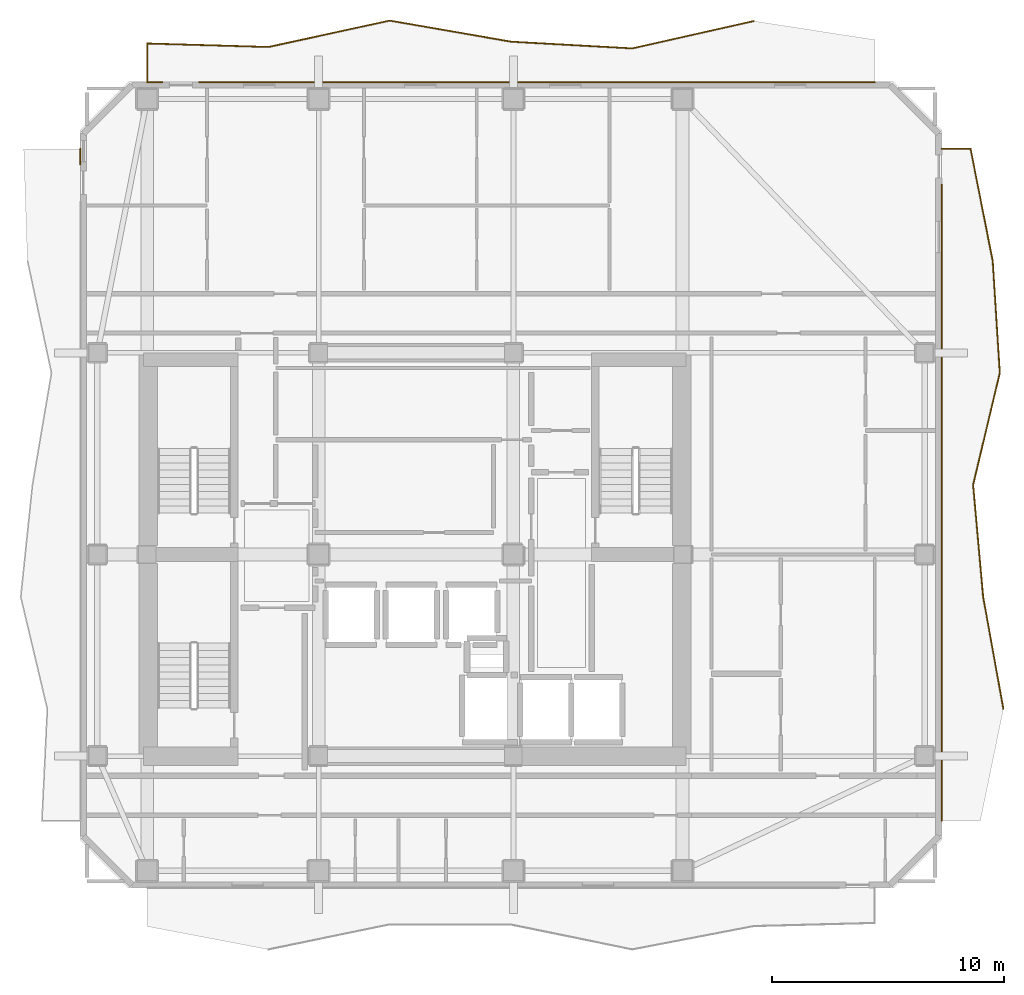
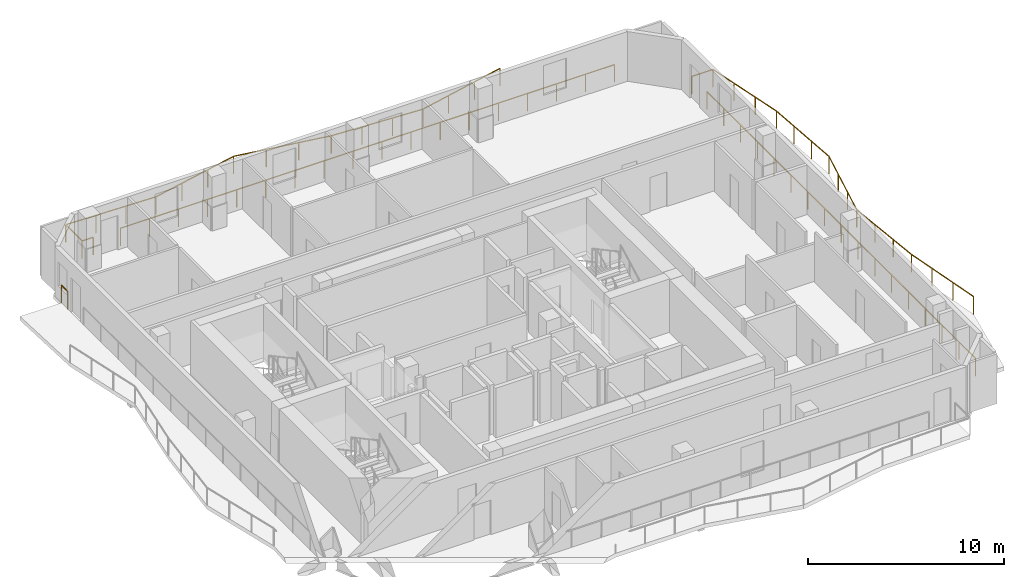
# One storey, part 9 of 9: 5 railings.
"""IFC4 building model written with IfcOpenShell, lengths in metres."""

from ifc_helpers import new_model, si_unit, direction, frame, origin, origin_2d, place, context, subcontext, project, spatial, rectangle, extrude, material, type_object, element, save


model = new_model("IFC4")

# Units and contexts
model_context = context("Model", 3, precision=1e-05, world=origin(), true_north=direction((0.0, 1.0)))
body_context = subcontext(model_context, "Body", "Model", "MODEL_VIEW")
ifc_project = project(units=[si_unit("LENGTHUNIT", "METRE"), si_unit("AREAUNIT", "SQUARE_METRE"), si_unit("VOLUMEUNIT", "CUBIC_METRE"), si_unit("PLANEANGLEUNIT", "RADIAN"), si_unit("MASSUNIT", "GRAM", prefix="KILO")], contexts=[model_context])

# Site, building, storey
site_placement = place(None, origin())
site = spatial("IfcSite", under=ifc_project, at=site_placement, CompositionType="ELEMENT")
building_placement = place(site_placement, origin())
building = spatial("IfcBuilding", under=site, at=building_placement, Name="Solanera Arch Residences", CompositionType="ELEMENT")
storey_placement = place(building_placement, frame((0.0, 0.0, 234.60009765625)))
storey = spatial("IfcBuildingStorey", under=building, at=storey_placement, Name="L68", CompositionType="ELEMENT", Elevation=234.60009765625)

# Railings
ifc_material = material(Name="Steel S355 (ASTM A992 / A572 Grade 50)", Category="steel")
railing_type = type_object("IfcRailingType", Name="Balustrade Railing BL-1100", PredefinedType="BALUSTRADE", material=ifc_material)
railing_1_placement = place(storey_placement, frame((39.56689453125, 53.718017578125, 0.0)))
element("IfcRailing", 1, at=railing_1_placement, inside=storey, type_object=railing_type, Name="L68 N Balcony Balustrade 1", PredefinedType="BALUSTRADE", context=body_context, shape_type="SweptSolid", body=[
    extrude(rectangle(XDim=0.048095703125, YDim=0.048095703125, at=origin_2d()), frame((0.0, 0.0, 1.09619140625), z_axis=(-0.975517579192, -0.219921469364, 0.0), x_axis=(0.219921469364, -0.975517579192, 0.0)), (0.0, 0.0, 1.0), 5.365234375),
    extrude(rectangle(XDim=0.048095703125, YDim=0.048095703125, at=origin_2d()), frame((-5.23388671875, -1.179931640625, 1.09619140625), z_axis=(-0.99845719829, 0.055526778966, 0.0), x_axis=(-0.055526778966, -0.99845719829, 0.0)), (0.0, 0.0, 1.0), 5.240966796875),
    extrude(rectangle(XDim=0.048095703125, YDim=0.048095703125, at=origin_2d()), frame((-10.466796875, -0.888916015625, 1.09619140625), z_axis=(-0.985249177604, 0.171125854361, 0.0), x_axis=(-0.171125854361, -0.985249177604, 0.0)), (0.0, 0.0, 1.0), 5.3115234375),
    extrude(rectangle(XDim=0.048095703125, YDim=0.048095703125, at=origin_2d()), frame((-15.699951171875, 0.02001953125, 1.09619140625), z_axis=(-0.977171015632, -0.212454244979, 0.0), x_axis=(0.212454244979, -0.977171015632, 0.0)), (0.0, 0.0, 1.0), 5.356201171875),
    extrude(rectangle(XDim=0.048095703125, YDim=0.048095703125, at=origin_2d()), frame((-20.933837890625, -1.117919921875, 1.09619140625), z_axis=(-0.999584635546, 0.028819375077, 0.0), x_axis=(-0.028819375077, -0.999584635546, 0.0)), (0.0, 0.0, 1.0), 5.2353515625),
    extrude(rectangle(XDim=0.048095703125, YDim=0.048095703125, at=origin_2d()), frame((-26.1669921875, -0.967041015625, 1.09619140625), z_axis=(0.0, -1.0, 0.0), x_axis=(1.0, 0.0, 0.0)), (0.0, 0.0, 1.0), 1.6708984375),
    extrude(rectangle(XDim=0.048095703125, YDim=0.048095703125, at=origin_2d()), frame((-26.1669921875, -2.637939453125, 1.09619140625), z_axis=(1.0, 0.0, 0.0), x_axis=(0.0, 1.0, 0.0)), (0.0, 0.0, 1.0), 0.655029296875),
    extrude(rectangle(XDim=0.0419921875, YDim=0.0419921875, at=origin_2d()), origin(), (0.0, 0.0, 1.0), 1.072021484375),
    extrude(rectangle(XDim=0.0419921875, YDim=0.0419921875, at=origin_2d()), frame((-1.74462890625, -0.393310546875, 0.0)), (0.0, 0.0, 1.0), 1.072021484375),
    extrude(rectangle(XDim=0.0419921875, YDim=0.0419921875, at=origin_2d()), frame((-3.4892578125, -0.78662109375, 0.0)), (0.0, 0.0, 1.0), 1.072021484375),
    extrude(rectangle(XDim=0.0419921875, YDim=0.0419921875, at=origin_2d()), frame((-5.23388671875, -1.179931640625, 0.0)), (0.0, 0.0, 1.0), 1.072021484375),
    extrude(rectangle(XDim=0.0419921875, YDim=0.0419921875, at=origin_2d()), frame((-6.978271484375, -1.0830078125, 0.0)), (0.0, 0.0, 1.0), 1.072021484375),
    extrude(rectangle(XDim=0.0419921875, YDim=0.0419921875, at=origin_2d()), frame((-8.722412109375, -0.98583984375, 0.0)), (0.0, 0.0, 1.0), 1.072021484375),
    extrude(rectangle(XDim=0.0419921875, YDim=0.0419921875, at=origin_2d()), frame((-10.466796875, -0.888916015625, 0.0)), (0.0, 0.0, 1.0), 1.072021484375),
    extrude(rectangle(XDim=0.0419921875, YDim=0.0419921875, at=origin_2d()), frame((-12.211181640625, -0.5859375, 0.0)), (0.0, 0.0, 1.0), 1.072021484375),
    extrude(rectangle(XDim=0.0419921875, YDim=0.0419921875, at=origin_2d()), frame((-13.95556640625, -0.282958984375, 0.0)), (0.0, 0.0, 1.0), 1.072021484375),
    extrude(rectangle(XDim=0.0419921875, YDim=0.0419921875, at=origin_2d()), frame((-15.699951171875, 0.02001953125, 0.0)), (0.0, 0.0, 1.0), 1.072021484375),
    extrude(rectangle(XDim=0.0419921875, YDim=0.0419921875, at=origin_2d()), frame((-17.444580078125, -0.359375, 0.0)), (0.0, 0.0, 1.0), 1.072021484375),
    extrude(rectangle(XDim=0.0419921875, YDim=0.0419921875, at=origin_2d()), frame((-19.189208984375, -0.738525390625, 0.0)), (0.0, 0.0, 1.0), 1.072021484375),
    extrude(rectangle(XDim=0.0419921875, YDim=0.0419921875, at=origin_2d()), frame((-20.933837890625, -1.117919921875, 0.0)), (0.0, 0.0, 1.0), 1.072021484375),
    extrude(rectangle(XDim=0.0419921875, YDim=0.0419921875, at=origin_2d()), frame((-22.67822265625, -1.067626953125, 0.0)), (0.0, 0.0, 1.0), 1.072021484375),
    extrude(rectangle(XDim=0.0419921875, YDim=0.0419921875, at=origin_2d()), frame((-24.422607421875, -1.017333984375, 0.0)), (0.0, 0.0, 1.0), 1.072021484375),
    extrude(rectangle(XDim=0.0419921875, YDim=0.0419921875, at=origin_2d()), frame((-26.1669921875, -0.967041015625, 0.0)), (0.0, 0.0, 1.0), 1.072021484375),
    extrude(rectangle(XDim=0.0419921875, YDim=0.0419921875, at=origin_2d()), frame((-26.1669921875, -2.637939453125, 0.0)), (0.0, 0.0, 1.0), 1.072021484375),
    extrude(rectangle(XDim=0.0419921875, YDim=0.0419921875, at=origin_2d()), frame((-25.511962890625, -2.637939453125, 0.0)), (0.0, 0.0, 1.0), 1.072021484375),
])
railing_2_placement = place(storey_placement, frame((15.655029296875, 51.080078125, 0.0)))
element("IfcRailing", 2, at=railing_2_placement, inside=storey, type_object=railing_type, Name="L68 N Balcony Balustrade 2", PredefinedType="BALUSTRADE", context=body_context, shape_type="SweptSolid", body=[
    extrude(rectangle(XDim=0.048095703125, YDim=0.048095703125, at=origin_2d()), frame((0.0, 0.0, 1.09619140625), z_axis=(1.0, 0.0, 0.0), x_axis=(0.0, 1.0, 0.0)), (0.0, 0.0, 1.0), 29.14501953125),
    extrude(rectangle(XDim=0.0419921875, YDim=0.0419921875, at=origin_2d()), origin(), (0.0, 0.0, 1.0), 1.072021484375),
    extrude(rectangle(XDim=0.0419921875, YDim=0.0419921875, at=origin_2d()), frame((1.71435546875, 0.0, 0.0)), (0.0, 0.0, 1.0), 1.072021484375),
    extrude(rectangle(XDim=0.0419921875, YDim=0.0419921875, at=origin_2d()), frame((3.4287109375, 0.0, 0.0)), (0.0, 0.0, 1.0), 1.072021484375),
    extrude(rectangle(XDim=0.0419921875, YDim=0.0419921875, at=origin_2d()), frame((5.143310546875, 0.0, 0.0)), (0.0, 0.0, 1.0), 1.072021484375),
    extrude(rectangle(XDim=0.0419921875, YDim=0.0419921875, at=origin_2d()), frame((6.857666015625, 0.0, 0.0)), (0.0, 0.0, 1.0), 1.072021484375),
    extrude(rectangle(XDim=0.0419921875, YDim=0.0419921875, at=origin_2d()), frame((8.572021484375, 0.0, 0.0)), (0.0, 0.0, 1.0), 1.072021484375),
    extrude(rectangle(XDim=0.0419921875, YDim=0.0419921875, at=origin_2d()), frame((10.286376953125, 0.0, 0.0)), (0.0, 0.0, 1.0), 1.072021484375),
    extrude(rectangle(XDim=0.0419921875, YDim=0.0419921875, at=origin_2d()), frame((12.0009765625, 0.0, 0.0)), (0.0, 0.0, 1.0), 1.072021484375),
    extrude(rectangle(XDim=0.0419921875, YDim=0.0419921875, at=origin_2d()), frame((13.71533203125, 0.0, 0.0)), (0.0, 0.0, 1.0), 1.072021484375),
    extrude(rectangle(XDim=0.0419921875, YDim=0.0419921875, at=origin_2d()), frame((15.4296875, 0.0, 0.0)), (0.0, 0.0, 1.0), 1.072021484375),
    extrude(rectangle(XDim=0.0419921875, YDim=0.0419921875, at=origin_2d()), frame((17.14404296875, 0.0, 0.0)), (0.0, 0.0, 1.0), 1.072021484375),
    extrude(rectangle(XDim=0.0419921875, YDim=0.0419921875, at=origin_2d()), frame((18.858642578125, 0.0, 0.0)), (0.0, 0.0, 1.0), 1.072021484375),
    extrude(rectangle(XDim=0.0419921875, YDim=0.0419921875, at=origin_2d()), frame((20.572998046875, 0.0, 0.0)), (0.0, 0.0, 1.0), 1.072021484375),
    extrude(rectangle(XDim=0.0419921875, YDim=0.0419921875, at=origin_2d()), frame((22.287353515625, 0.0, 0.0)), (0.0, 0.0, 1.0), 1.072021484375),
    extrude(rectangle(XDim=0.0419921875, YDim=0.0419921875, at=origin_2d()), frame((24.001708984375, 0.0, 0.0)), (0.0, 0.0, 1.0), 1.072021484375),
    extrude(rectangle(XDim=0.0419921875, YDim=0.0419921875, at=origin_2d()), frame((25.71630859375, 0.0, 0.0)), (0.0, 0.0, 1.0), 1.072021484375),
    extrude(rectangle(XDim=0.0419921875, YDim=0.0419921875, at=origin_2d()), frame((27.4306640625, 0.0, 0.0)), (0.0, 0.0, 1.0), 1.072021484375),
    extrude(rectangle(XDim=0.0419921875, YDim=0.0419921875, at=origin_2d()), frame((29.14501953125, 0.0, 0.0)), (0.0, 0.0, 1.0), 1.072021484375),
])
railing_3_placement = place(storey_placement, frame((50.346923828125, 24.032958984375, 0.0)))
element("IfcRailing", 3, at=railing_3_placement, inside=storey, type_object=railing_type, Name="L68 E Balcony Balustrade 1", PredefinedType="BALUSTRADE", context=body_context, shape_type="SweptSolid", body=[
    extrude(rectangle(XDim=0.048095703125, YDim=0.048095703125, at=origin_2d()), frame((0.0, 0.0, 1.09619140625), z_axis=(-0.177682530476, 0.9840878611, 0.0), x_axis=(-0.9840878611, -0.177682530476, 0.0)), (0.0, 0.0, 1.0), 4.912109375),
    extrude(rectangle(XDim=0.048095703125, YDim=0.048095703125, at=origin_2d()), frame((-0.872802734375, 4.833984375, 1.09619140625), z_axis=(-0.089456031175, 0.99599077229, 0.0), x_axis=(-0.99599077229, -0.089456031175, 0.0)), (0.0, 0.0, 1.0), 4.8525390625),
    extrude(rectangle(XDim=0.048095703125, YDim=0.048095703125, at=origin_2d()), frame((-1.306884765625, 9.6669921875, 1.09619140625), z_axis=(0.231837534301, 0.972754520776, 0.0), x_axis=(-0.972754520776, 0.231837534301, 0.0)), (0.0, 0.0, 1.0), 4.96826171875),
    extrude(rectangle(XDim=0.048095703125, YDim=0.048095703125, at=origin_2d()), frame((-0.155029296875, 14.5, 1.09619140625), z_axis=(-0.063156492721, 0.998003635979, 0.0), x_axis=(-0.998003635979, -0.063156492721, 0.0)), (0.0, 0.0, 1.0), 4.84375),
    extrude(rectangle(XDim=0.048095703125, YDim=0.048095703125, at=origin_2d()), frame((-0.4609375, 19.333984375, 1.09619140625), z_axis=(-0.19405726578, 0.9809902026, 0.0), x_axis=(-0.9809902026, -0.19405726578, 0.0)), (0.0, 0.0, 1.0), 4.9267578125),
    extrude(rectangle(XDim=0.048095703125, YDim=0.048095703125, at=origin_2d()), frame((-1.4169921875, 24.1669921875, 1.09619140625), z_axis=(-1.0, 0.0, 0.0), x_axis=(0.0, -1.0, 0.0)), (0.0, 0.0, 1.0), 1.25),
    extrude(rectangle(XDim=0.0419921875, YDim=0.0419921875, at=origin_2d()), origin(), (0.0, 0.0, 1.0), 1.072021484375),
    extrude(rectangle(XDim=0.0419921875, YDim=0.0419921875, at=origin_2d()), frame((-0.291015625, 1.611328125, 0.0)), (0.0, 0.0, 1.0), 1.072021484375),
    extrude(rectangle(XDim=0.0419921875, YDim=0.0419921875, at=origin_2d()), frame((-0.581787109375, 3.22265625, 0.0)), (0.0, 0.0, 1.0), 1.072021484375),
    extrude(rectangle(XDim=0.0419921875, YDim=0.0419921875, at=origin_2d()), frame((-0.872802734375, 4.833984375, 0.0)), (0.0, 0.0, 1.0), 1.072021484375),
    extrude(rectangle(XDim=0.0419921875, YDim=0.0419921875, at=origin_2d()), frame((-1.017578125, 6.445068359375, 0.0)), (0.0, 0.0, 1.0), 1.072021484375),
    extrude(rectangle(XDim=0.0419921875, YDim=0.0419921875, at=origin_2d()), frame((-1.162109375, 8.055908203125, 0.0)), (0.0, 0.0, 1.0), 1.072021484375),
    extrude(rectangle(XDim=0.0419921875, YDim=0.0419921875, at=origin_2d()), frame((-1.306884765625, 9.6669921875, 0.0)), (0.0, 0.0, 1.0), 1.072021484375),
    extrude(rectangle(XDim=0.0419921875, YDim=0.0419921875, at=origin_2d()), frame((-0.9228515625, 11.278076171875, 0.0)), (0.0, 0.0, 1.0), 1.072021484375),
    extrude(rectangle(XDim=0.0419921875, YDim=0.0419921875, at=origin_2d()), frame((-0.5390625, 12.888916015625, 0.0)), (0.0, 0.0, 1.0), 1.072021484375),
    extrude(rectangle(XDim=0.0419921875, YDim=0.0419921875, at=origin_2d()), frame((-0.155029296875, 14.5, 0.0)), (0.0, 0.0, 1.0), 1.072021484375),
    extrude(rectangle(XDim=0.0419921875, YDim=0.0419921875, at=origin_2d()), frame((-0.257080078125, 16.111328125, 0.0)), (0.0, 0.0, 1.0), 1.072021484375),
    extrude(rectangle(XDim=0.0419921875, YDim=0.0419921875, at=origin_2d()), frame((-0.35888671875, 17.72265625, 0.0)), (0.0, 0.0, 1.0), 1.072021484375),
    extrude(rectangle(XDim=0.0419921875, YDim=0.0419921875, at=origin_2d()), frame((-0.4609375, 19.333984375, 0.0)), (0.0, 0.0, 1.0), 1.072021484375),
    extrude(rectangle(XDim=0.0419921875, YDim=0.0419921875, at=origin_2d()), frame((-0.779541015625, 20.945068359375, 0.0)), (0.0, 0.0, 1.0), 1.072021484375),
    extrude(rectangle(XDim=0.0419921875, YDim=0.0419921875, at=origin_2d()), frame((-1.098388671875, 22.555908203125, 0.0)), (0.0, 0.0, 1.0), 1.072021484375),
    extrude(rectangle(XDim=0.0419921875, YDim=0.0419921875, at=origin_2d()), frame((-1.4169921875, 24.1669921875, 0.0)), (0.0, 0.0, 1.0), 1.072021484375),
    extrude(rectangle(XDim=0.0419921875, YDim=0.0419921875, at=origin_2d()), frame((-2.6669921875, 24.1669921875, 0.0)), (0.0, 0.0, 1.0), 1.072021484375),
])
railing_4_placement = place(storey_placement, frame((47.679931640625, 46.64501953125, 0.0)))
element("IfcRailing", 4, at=railing_4_placement, inside=storey, type_object=railing_type, Name="L68 E Balcony Balustrade 2", PredefinedType="BALUSTRADE", context=body_context, shape_type="SweptSolid", body=[
    extrude(rectangle(XDim=0.048095703125, YDim=0.048095703125, at=origin_2d()), frame((0.0, 0.0, 1.09619140625), z_axis=(0.0, -1.0, 0.0), x_axis=(1.0, 0.0, 0.0)), (0.0, 0.0, 1.0), 27.445068359375),
    extrude(rectangle(XDim=0.0419921875, YDim=0.0419921875, at=origin_2d()), origin(), (0.0, 0.0, 1.0), 1.072021484375),
    extrude(rectangle(XDim=0.0419921875, YDim=0.0419921875, at=origin_2d()), frame((0.0, -1.71533203125, 0.0)), (0.0, 0.0, 1.0), 1.072021484375),
    extrude(rectangle(XDim=0.0419921875, YDim=0.0419921875, at=origin_2d()), frame((0.0, -3.4306640625, 0.0)), (0.0, 0.0, 1.0), 1.072021484375),
    extrude(rectangle(XDim=0.0419921875, YDim=0.0419921875, at=origin_2d()), frame((0.0, -5.14599609375, 0.0)), (0.0, 0.0, 1.0), 1.072021484375),
    extrude(rectangle(XDim=0.0419921875, YDim=0.0419921875, at=origin_2d()), frame((0.0, -6.861328125, 0.0)), (0.0, 0.0, 1.0), 1.072021484375),
    extrude(rectangle(XDim=0.0419921875, YDim=0.0419921875, at=origin_2d()), frame((0.0, -8.57666015625, 0.0)), (0.0, 0.0, 1.0), 1.072021484375),
    extrude(rectangle(XDim=0.0419921875, YDim=0.0419921875, at=origin_2d()), frame((0.0, -10.2919921875, 0.0)), (0.0, 0.0, 1.0), 1.072021484375),
    extrude(rectangle(XDim=0.0419921875, YDim=0.0419921875, at=origin_2d()), frame((0.0, -12.00732421875, 0.0)), (0.0, 0.0, 1.0), 1.072021484375),
    extrude(rectangle(XDim=0.0419921875, YDim=0.0419921875, at=origin_2d()), frame((0.0, -13.72265625, 0.0)), (0.0, 0.0, 1.0), 1.072021484375),
    extrude(rectangle(XDim=0.0419921875, YDim=0.0419921875, at=origin_2d()), frame((0.0, -15.437744140625, 0.0)), (0.0, 0.0, 1.0), 1.072021484375),
    extrude(rectangle(XDim=0.0419921875, YDim=0.0419921875, at=origin_2d()), frame((0.0, -17.153076171875, 0.0)), (0.0, 0.0, 1.0), 1.072021484375),
    extrude(rectangle(XDim=0.0419921875, YDim=0.0419921875, at=origin_2d()), frame((0.0, -18.868408203125, 0.0)), (0.0, 0.0, 1.0), 1.072021484375),
    extrude(rectangle(XDim=0.0419921875, YDim=0.0419921875, at=origin_2d()), frame((0.0, -20.583740234375, 0.0)), (0.0, 0.0, 1.0), 1.072021484375),
    extrude(rectangle(XDim=0.0419921875, YDim=0.0419921875, at=origin_2d()), frame((0.0, -22.299072265625, 0.0)), (0.0, 0.0, 1.0), 1.072021484375),
    extrude(rectangle(XDim=0.0419921875, YDim=0.0419921875, at=origin_2d()), frame((0.0, -24.014404296875, 0.0)), (0.0, 0.0, 1.0), 1.072021484375),
    extrude(rectangle(XDim=0.0419921875, YDim=0.0419921875, at=origin_2d()), frame((0.0, -25.729736328125, 0.0)), (0.0, 0.0, 1.0), 1.072021484375),
    extrude(rectangle(XDim=0.0419921875, YDim=0.0419921875, at=origin_2d()), frame((0.0, -27.445068359375, 0.0)), (0.0, 0.0, 1.0), 1.072021484375),
])
railing_5_placement = place(storey_placement, frame((10.52001953125, 47.5400390625, 0.0)))
element("IfcRailing", 5, at=railing_5_placement, inside=storey, type_object=railing_type, Name="L68 W Balcony Balustrade 2", PredefinedType="BALUSTRADE", context=body_context, shape_type="SweptSolid", body=[
    extrude(rectangle(XDim=0.048095703125, YDim=0.048095703125, at=origin_2d()), frame((0.0, 0.0, 1.09619140625), z_axis=(0.0, 1.0, 0.0), x_axis=(-1.0, 0.0, 0.0)), (0.0, 0.0, 1.0), 0.659912109375),
    extrude(rectangle(XDim=0.0419921875, YDim=0.0419921875, at=origin_2d()), origin(), (0.0, 0.0, 1.0), 1.072021484375),
    extrude(rectangle(XDim=0.0419921875, YDim=0.0419921875, at=origin_2d()), frame((0.0, 0.659912109375, 0.0)), (0.0, 0.0, 1.0), 1.072021484375),
])

save(model, "model.ifc")
